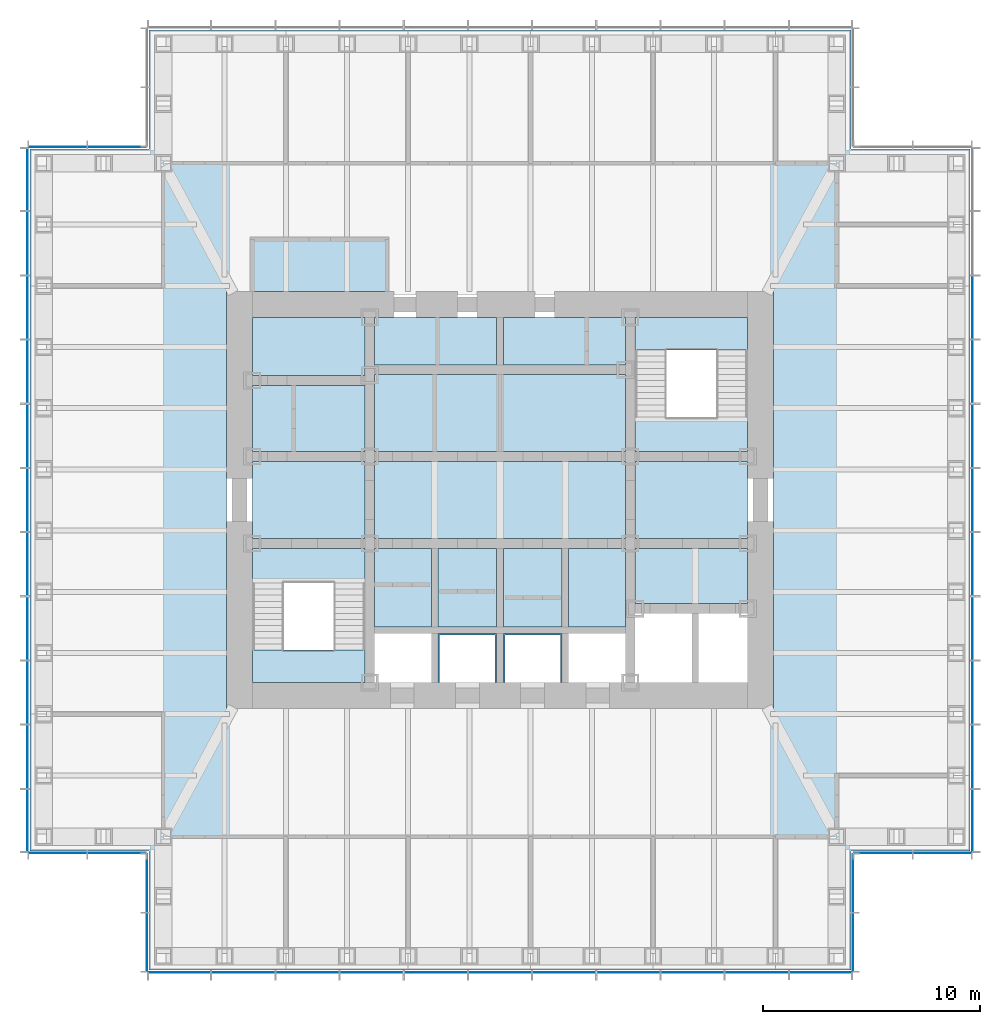
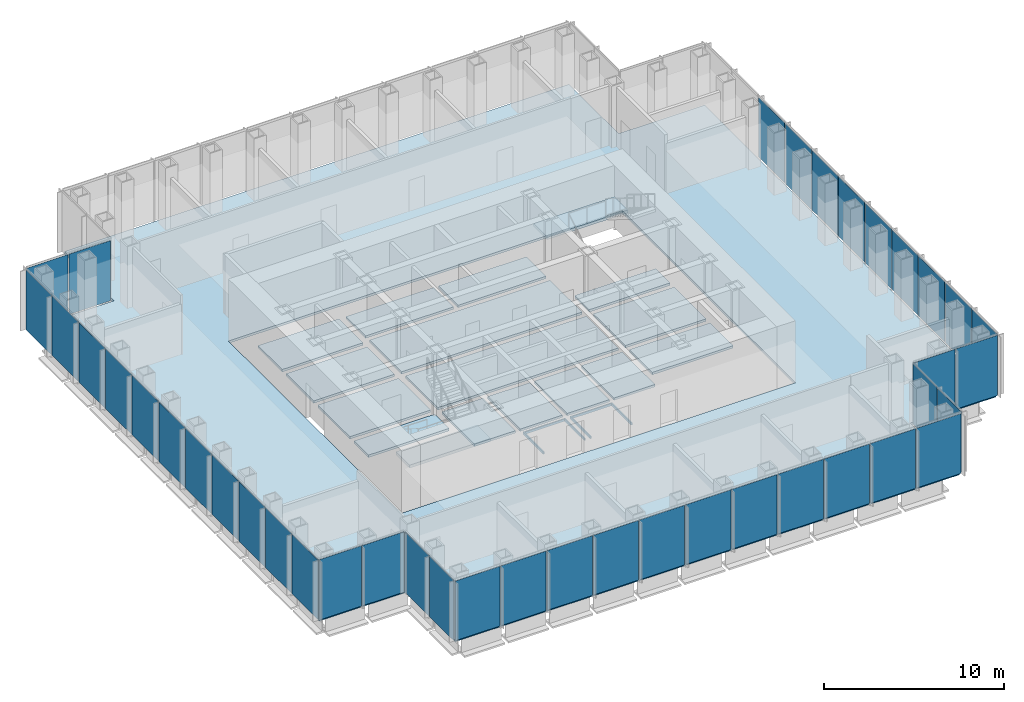
# One storey, part 7 of 16: 41 plates, 20 slabs, 10 elements without a shape of their own.
"""IFC4 building model written with IfcOpenShell, lengths in metres."""

from ifc_helpers import new_model, si_unit, direction, frame, origin, origin_2d, place, context, subcontext, project, spatial, polyline, rectangle, outline, extrude, material, layer, layer_set, type_object, element, aggregate, save


model = new_model("IFC4")

# Units and contexts
model_context = context("Model", 3, precision=1e-05, world=origin(), true_north=direction((0.0, 1.0)))
body_context = subcontext(model_context, "Body", "Model", "MODEL_VIEW")
ifc_project = project(units=[si_unit("LENGTHUNIT", "METRE"), si_unit("AREAUNIT", "SQUARE_METRE"), si_unit("VOLUMEUNIT", "CUBIC_METRE"), si_unit("PLANEANGLEUNIT", "RADIAN"), si_unit("MASSUNIT", "GRAM", prefix="KILO")], contexts=[model_context])

# Site, building, storey
site_placement = place(None, origin())
site = spatial("IfcSite", under=ifc_project, at=site_placement, CompositionType="ELEMENT")
building_placement = place(site_placement, origin())
building = spatial("IfcBuilding", under=site, at=building_placement, Name="Daluyong Arena Tower", CompositionType="ELEMENT")
storey_placement = place(building_placement, frame((0.0, 0.0, 227.5)))
storey = spatial("IfcBuildingStorey", under=building, at=storey_placement, Name="L51", CompositionType="ELEMENT", Elevation=227.5)

# Curtain wall, plates
ifc_material_1 = material(Name="Bronze anodised aluminium and glass", Category="aluminium")
curtain_wall_type_1 = type_object("IfcCurtainWallType", Name="Curtain wall CW3", PredefinedType="USERDEFINED", material=ifc_material_1)
curtain_wall_1_placement = place(storey_placement, origin())
curtain_wall_1 = element("IfcCurtainWall", 1, at=curtain_wall_1_placement, inside=storey, type_object=curtain_wall_type_1, Name="curtain wall L51 S", ObjectType="UNITISED CURTAIN WALL", PredefinedType="USERDEFINED")
ifc_material_2 = material(Name="Tinted double glazed unit", Category="glass")
ifc_layer_1 = layer(ifc_material_2, 0.030029296875)
ifc_layer_set_1 = layer_set([ifc_layer_1], Name="Tinted double glazed unit")
plate_type_1 = type_object("IfcPlateType", Name="CW3 panel 30", PredefinedType="CURTAIN_PANEL", material=ifc_layer_set_1)
plate_1_placement = place(storey_placement, frame((41.244873046875, 58.25, 0.0), z_axis=(0.0, 0.0, 1.0), x_axis=(1.0, 0.0, 0.0)))
plate_1 = element("IfcPlate", 2, at=plate_1_placement, type_object=plate_type_1, Name="curtain wall L51 S panel 1", PredefinedType="CURTAIN_PANEL", context=body_context, shape_type="SweptSolid", body=[
    extrude(rectangle(XDim=2.849609375, YDim=0.030029296875, at=origin_2d()), origin(), (0.0, 0.0, 1.0), 4.0400390625),
])
plate_2_placement = place(storey_placement, frame((44.181884765625, 58.25, 0.0), z_axis=(0.0, 0.0, 1.0), x_axis=(1.0, 0.0, 0.0)))
plate_2 = element("IfcPlate", 3, at=plate_2_placement, type_object=plate_type_1, Name="curtain wall L51 S panel 2", PredefinedType="CURTAIN_PANEL", context=body_context, shape_type="SweptSolid", body=[
    extrude(rectangle(XDim=2.884521484375, YDim=0.030029296875, at=origin_2d()), origin(), (0.0, 0.0, 1.0), 4.0400390625),
])
plate_3_placement = place(storey_placement, frame((47.136474609375, 58.25, 0.0), z_axis=(0.0, 0.0, 1.0), x_axis=(1.0, 0.0, 0.0)))
plate_3 = element("IfcPlate", 4, at=plate_3_placement, type_object=plate_type_1, Name="curtain wall L51 S panel 3", PredefinedType="CURTAIN_PANEL", context=body_context, shape_type="SweptSolid", body=[
    extrude(rectangle(XDim=2.884521484375, YDim=0.030029296875, at=origin_2d()), origin(), (0.0, 0.0, 1.0), 4.0400390625),
])
plate_4_placement = place(storey_placement, frame((50.0908203125, 58.25, 0.0), z_axis=(0.0, 0.0, 1.0), x_axis=(1.0, 0.0, 0.0)))
plate_4 = element("IfcPlate", 5, at=plate_4_placement, type_object=plate_type_1, Name="curtain wall L51 S panel 4", PredefinedType="CURTAIN_PANEL", context=body_context, shape_type="SweptSolid", body=[
    extrude(rectangle(XDim=2.884521484375, YDim=0.030029296875, at=origin_2d()), origin(), (0.0, 0.0, 1.0), 4.0400390625),
])
plate_5_placement = place(storey_placement, frame((53.04541015625, 58.25, 0.0), z_axis=(0.0, 0.0, 1.0), x_axis=(1.0, 0.0, 0.0)))
plate_5 = element("IfcPlate", 6, at=plate_5_placement, type_object=plate_type_1, Name="curtain wall L51 S panel 5", PredefinedType="CURTAIN_PANEL", context=body_context, shape_type="SweptSolid", body=[
    extrude(rectangle(XDim=2.884521484375, YDim=0.030029296875, at=origin_2d()), origin(), (0.0, 0.0, 1.0), 4.0400390625),
])
plate_6_placement = place(storey_placement, frame((56.0, 58.25, 0.0), z_axis=(0.0, 0.0, 1.0), x_axis=(1.0, 0.0, 0.0)))
plate_6 = element("IfcPlate", 7, at=plate_6_placement, type_object=plate_type_1, Name="curtain wall L51 S panel 6", PredefinedType="CURTAIN_PANEL", context=body_context, shape_type="SweptSolid", body=[
    extrude(rectangle(XDim=2.884521484375, YDim=0.030029296875, at=origin_2d()), origin(), (0.0, 0.0, 1.0), 4.0400390625),
])
plate_7_placement = place(storey_placement, frame((58.95458984375, 58.25, 0.0), z_axis=(0.0, 0.0, 1.0), x_axis=(1.0, 0.0, 0.0)))
plate_7 = element("IfcPlate", 8, at=plate_7_placement, type_object=plate_type_1, Name="curtain wall L51 S panel 7", PredefinedType="CURTAIN_PANEL", context=body_context, shape_type="SweptSolid", body=[
    extrude(rectangle(XDim=2.884521484375, YDim=0.030029296875, at=origin_2d()), origin(), (0.0, 0.0, 1.0), 4.0400390625),
])
plate_8_placement = place(storey_placement, frame((61.9091796875, 58.25, 0.0), z_axis=(0.0, 0.0, 1.0), x_axis=(1.0, 0.0, 0.0)))
plate_8 = element("IfcPlate", 9, at=plate_8_placement, type_object=plate_type_1, Name="curtain wall L51 S panel 8", PredefinedType="CURTAIN_PANEL", context=body_context, shape_type="SweptSolid", body=[
    extrude(rectangle(XDim=2.884521484375, YDim=0.030029296875, at=origin_2d()), origin(), (0.0, 0.0, 1.0), 4.0400390625),
])
plate_9_placement = place(storey_placement, frame((64.863525390625, 58.25, 0.0), z_axis=(0.0, 0.0, 1.0), x_axis=(1.0, 0.0, 0.0)))
plate_9 = element("IfcPlate", 10, at=plate_9_placement, type_object=plate_type_1, Name="curtain wall L51 S panel 9", PredefinedType="CURTAIN_PANEL", context=body_context, shape_type="SweptSolid", body=[
    extrude(rectangle(XDim=2.884521484375, YDim=0.030029296875, at=origin_2d()), origin(), (0.0, 0.0, 1.0), 4.0400390625),
])
plate_10_placement = place(storey_placement, frame((67.818115234375, 58.25, 0.0), z_axis=(0.0, 0.0, 1.0), x_axis=(1.0, 0.0, 0.0)))
plate_10 = element("IfcPlate", 11, at=plate_10_placement, type_object=plate_type_1, Name="curtain wall L51 S panel 10", PredefinedType="CURTAIN_PANEL", context=body_context, shape_type="SweptSolid", body=[
    extrude(rectangle(XDim=2.884521484375, YDim=0.030029296875, at=origin_2d()), origin(), (0.0, 0.0, 1.0), 4.0400390625),
])
plate_11_placement = place(storey_placement, frame((70.755126953125, 58.25, 0.0), z_axis=(0.0, 0.0, 1.0), x_axis=(1.0, 0.0, 0.0)))
plate_11 = element("IfcPlate", 12, at=plate_11_placement, type_object=plate_type_1, Name="curtain wall L51 S panel 11", PredefinedType="CURTAIN_PANEL", context=body_context, shape_type="SweptSolid", body=[
    extrude(rectangle(XDim=2.849609375, YDim=0.030029296875, at=origin_2d()), origin(), (0.0, 0.0, 1.0), 4.0400390625),
])
aggregate(curtain_wall_1, [plate_1, plate_2, plate_3, plate_4, plate_5, plate_6, plate_7, plate_8, plate_9, plate_10, plate_11])

curtain_wall_2_placement = place(storey_placement, origin())
curtain_wall_2 = element("IfcCurtainWall", 13, at=curtain_wall_2_placement, inside=storey, type_object=curtain_wall_type_1, Name="curtain wall L51 E", ObjectType="UNITISED CURTAIN WALL", PredefinedType="USERDEFINED")
plate_12_placement = place(storey_placement, frame((77.75, 65.244873046875, 0.0), z_axis=(0.0, 0.0, 1.0), x_axis=(0.0, 1.0, 0.0)))
plate_12 = element("IfcPlate", 14, at=plate_12_placement, type_object=plate_type_1, Name="curtain wall L51 E panel 1", PredefinedType="CURTAIN_PANEL", context=body_context, shape_type="SweptSolid", body=[
    extrude(rectangle(XDim=2.849609375, YDim=0.030029296875, at=origin_2d()), origin(), (0.0, 0.0, 1.0), 4.0400390625),
])
plate_13_placement = place(storey_placement, frame((77.75, 68.181884765625, 0.0), z_axis=(0.0, 0.0, 1.0), x_axis=(0.0, 1.0, 0.0)))
plate_13 = element("IfcPlate", 15, at=plate_13_placement, type_object=plate_type_1, Name="curtain wall L51 E panel 2", PredefinedType="CURTAIN_PANEL", context=body_context, shape_type="SweptSolid", body=[
    extrude(rectangle(XDim=2.884521484375, YDim=0.030029296875, at=origin_2d()), origin(), (0.0, 0.0, 1.0), 4.0400390625),
])
plate_14_placement = place(storey_placement, frame((77.75, 71.136474609375, 0.0), z_axis=(0.0, 0.0, 1.0), x_axis=(0.0, 1.0, 0.0)))
plate_14 = element("IfcPlate", 16, at=plate_14_placement, type_object=plate_type_1, Name="curtain wall L51 E panel 3", PredefinedType="CURTAIN_PANEL", context=body_context, shape_type="SweptSolid", body=[
    extrude(rectangle(XDim=2.884521484375, YDim=0.030029296875, at=origin_2d()), origin(), (0.0, 0.0, 1.0), 4.0400390625),
])
plate_15_placement = place(storey_placement, frame((77.75, 74.0908203125, 0.0), z_axis=(0.0, 0.0, 1.0), x_axis=(0.0, 1.0, 0.0)))
plate_15 = element("IfcPlate", 17, at=plate_15_placement, type_object=plate_type_1, Name="curtain wall L51 E panel 4", PredefinedType="CURTAIN_PANEL", context=body_context, shape_type="SweptSolid", body=[
    extrude(rectangle(XDim=2.884521484375, YDim=0.030029296875, at=origin_2d()), origin(), (0.0, 0.0, 1.0), 4.0400390625),
])
plate_16_placement = place(storey_placement, frame((77.75, 77.04541015625, 0.0), z_axis=(0.0, 0.0, 1.0), x_axis=(0.0, 1.0, 0.0)))
plate_16 = element("IfcPlate", 18, at=plate_16_placement, type_object=plate_type_1, Name="curtain wall L51 E panel 5", PredefinedType="CURTAIN_PANEL", context=body_context, shape_type="SweptSolid", body=[
    extrude(rectangle(XDim=2.884521484375, YDim=0.030029296875, at=origin_2d()), origin(), (0.0, 0.0, 1.0), 4.0400390625),
])
plate_17_placement = place(storey_placement, frame((77.75, 80.0, 0.0), z_axis=(0.0, 0.0, 1.0), x_axis=(0.0, 1.0, 0.0)))
plate_17 = element("IfcPlate", 19, at=plate_17_placement, type_object=plate_type_1, Name="curtain wall L51 E panel 6", PredefinedType="CURTAIN_PANEL", context=body_context, shape_type="SweptSolid", body=[
    extrude(rectangle(XDim=2.884521484375, YDim=0.030029296875, at=origin_2d()), origin(), (0.0, 0.0, 1.0), 4.0400390625),
])
plate_18_placement = place(storey_placement, frame((77.75, 82.95458984375, 0.0), z_axis=(0.0, 0.0, 1.0), x_axis=(0.0, 1.0, 0.0)))
plate_18 = element("IfcPlate", 20, at=plate_18_placement, type_object=plate_type_1, Name="curtain wall L51 E panel 7", PredefinedType="CURTAIN_PANEL", context=body_context, shape_type="SweptSolid", body=[
    extrude(rectangle(XDim=2.884521484375, YDim=0.030029296875, at=origin_2d()), origin(), (0.0, 0.0, 1.0), 4.0400390625),
])
plate_19_placement = place(storey_placement, frame((77.75, 85.9091796875, 0.0), z_axis=(0.0, 0.0, 1.0), x_axis=(0.0, 1.0, 0.0)))
plate_19 = element("IfcPlate", 21, at=plate_19_placement, type_object=plate_type_1, Name="curtain wall L51 E panel 8", PredefinedType="CURTAIN_PANEL", context=body_context, shape_type="SweptSolid", body=[
    extrude(rectangle(XDim=2.884521484375, YDim=0.030029296875, at=origin_2d()), origin(), (0.0, 0.0, 1.0), 4.0400390625),
])
plate_20_placement = place(storey_placement, frame((77.75, 88.863525390625, 0.0), z_axis=(0.0, 0.0, 1.0), x_axis=(0.0, 1.0, 0.0)))
plate_20 = element("IfcPlate", 22, at=plate_20_placement, type_object=plate_type_1, Name="curtain wall L51 E panel 9", PredefinedType="CURTAIN_PANEL", context=body_context, shape_type="SweptSolid", body=[
    extrude(rectangle(XDim=2.884521484375, YDim=0.030029296875, at=origin_2d()), origin(), (0.0, 0.0, 1.0), 4.0400390625),
])
aggregate(curtain_wall_2, [plate_12, plate_13, plate_14, plate_15, plate_16, plate_17, plate_18, plate_19, plate_20])

curtain_wall_3_placement = place(storey_placement, origin())
curtain_wall_3 = element("IfcCurtainWall", 23, at=curtain_wall_3_placement, inside=storey, type_object=curtain_wall_type_1, Name="curtain wall L51 W", ObjectType="UNITISED CURTAIN WALL", PredefinedType="USERDEFINED")
plate_21_placement = place(storey_placement, frame((34.25, 94.755126953125, 0.0), z_axis=(0.0, 0.0, 1.0), x_axis=(0.0, -1.0, 0.0)))
plate_21 = element("IfcPlate", 24, at=plate_21_placement, type_object=plate_type_1, Name="curtain wall L51 W panel 1", PredefinedType="CURTAIN_PANEL", context=body_context, shape_type="SweptSolid", body=[
    extrude(rectangle(XDim=2.849609375, YDim=0.030029296875, at=origin_2d()), origin(), (0.0, 0.0, 1.0), 4.0400390625),
])
plate_22_placement = place(storey_placement, frame((34.25, 91.818115234375, 0.0), z_axis=(0.0, 0.0, 1.0), x_axis=(0.0, -1.0, 0.0)))
plate_22 = element("IfcPlate", 25, at=plate_22_placement, type_object=plate_type_1, Name="curtain wall L51 W panel 2", PredefinedType="CURTAIN_PANEL", context=body_context, shape_type="SweptSolid", body=[
    extrude(rectangle(XDim=2.884521484375, YDim=0.030029296875, at=origin_2d()), origin(), (0.0, 0.0, 1.0), 4.0400390625),
])
plate_23_placement = place(storey_placement, frame((34.25, 88.863525390625, 0.0), z_axis=(0.0, 0.0, 1.0), x_axis=(0.0, -1.0, 0.0)))
plate_23 = element("IfcPlate", 26, at=plate_23_placement, type_object=plate_type_1, Name="curtain wall L51 W panel 3", PredefinedType="CURTAIN_PANEL", context=body_context, shape_type="SweptSolid", body=[
    extrude(rectangle(XDim=2.884521484375, YDim=0.030029296875, at=origin_2d()), origin(), (0.0, 0.0, 1.0), 4.0400390625),
])
plate_24_placement = place(storey_placement, frame((34.25, 85.9091796875, 0.0), z_axis=(0.0, 0.0, 1.0), x_axis=(0.0, -1.0, 0.0)))
plate_24 = element("IfcPlate", 27, at=plate_24_placement, type_object=plate_type_1, Name="curtain wall L51 W panel 4", PredefinedType="CURTAIN_PANEL", context=body_context, shape_type="SweptSolid", body=[
    extrude(rectangle(XDim=2.884521484375, YDim=0.030029296875, at=origin_2d()), origin(), (0.0, 0.0, 1.0), 4.0400390625),
])
plate_25_placement = place(storey_placement, frame((34.25, 82.95458984375, 0.0), z_axis=(0.0, 0.0, 1.0), x_axis=(0.0, -1.0, 0.0)))
plate_25 = element("IfcPlate", 28, at=plate_25_placement, type_object=plate_type_1, Name="curtain wall L51 W panel 5", PredefinedType="CURTAIN_PANEL", context=body_context, shape_type="SweptSolid", body=[
    extrude(rectangle(XDim=2.884521484375, YDim=0.030029296875, at=origin_2d()), origin(), (0.0, 0.0, 1.0), 4.0400390625),
])
plate_26_placement = place(storey_placement, frame((34.25, 80.0, 0.0), z_axis=(0.0, 0.0, 1.0), x_axis=(0.0, -1.0, 0.0)))
plate_26 = element("IfcPlate", 29, at=plate_26_placement, type_object=plate_type_1, Name="curtain wall L51 W panel 6", PredefinedType="CURTAIN_PANEL", context=body_context, shape_type="SweptSolid", body=[
    extrude(rectangle(XDim=2.884521484375, YDim=0.030029296875, at=origin_2d()), origin(), (0.0, 0.0, 1.0), 4.0400390625),
])
plate_27_placement = place(storey_placement, frame((34.25, 77.04541015625, 0.0), z_axis=(0.0, 0.0, 1.0), x_axis=(0.0, -1.0, 0.0)))
plate_27 = element("IfcPlate", 30, at=plate_27_placement, type_object=plate_type_1, Name="curtain wall L51 W panel 7", PredefinedType="CURTAIN_PANEL", context=body_context, shape_type="SweptSolid", body=[
    extrude(rectangle(XDim=2.884521484375, YDim=0.030029296875, at=origin_2d()), origin(), (0.0, 0.0, 1.0), 4.0400390625),
])
plate_28_placement = place(storey_placement, frame((34.25, 74.0908203125, 0.0), z_axis=(0.0, 0.0, 1.0), x_axis=(0.0, -1.0, 0.0)))
plate_28 = element("IfcPlate", 31, at=plate_28_placement, type_object=plate_type_1, Name="curtain wall L51 W panel 8", PredefinedType="CURTAIN_PANEL", context=body_context, shape_type="SweptSolid", body=[
    extrude(rectangle(XDim=2.884521484375, YDim=0.030029296875, at=origin_2d()), origin(), (0.0, 0.0, 1.0), 4.0400390625),
])
plate_29_placement = place(storey_placement, frame((34.25, 71.136474609375, 0.0), z_axis=(0.0, 0.0, 1.0), x_axis=(0.0, -1.0, 0.0)))
plate_29 = element("IfcPlate", 32, at=plate_29_placement, type_object=plate_type_1, Name="curtain wall L51 W panel 9", PredefinedType="CURTAIN_PANEL", context=body_context, shape_type="SweptSolid", body=[
    extrude(rectangle(XDim=2.884521484375, YDim=0.030029296875, at=origin_2d()), origin(), (0.0, 0.0, 1.0), 4.0400390625),
])
plate_30_placement = place(storey_placement, frame((34.25, 68.181884765625, 0.0), z_axis=(0.0, 0.0, 1.0), x_axis=(0.0, -1.0, 0.0)))
plate_30 = element("IfcPlate", 33, at=plate_30_placement, type_object=plate_type_1, Name="curtain wall L51 W panel 10", PredefinedType="CURTAIN_PANEL", context=body_context, shape_type="SweptSolid", body=[
    extrude(rectangle(XDim=2.884521484375, YDim=0.030029296875, at=origin_2d()), origin(), (0.0, 0.0, 1.0), 4.0400390625),
])
plate_31_placement = place(storey_placement, frame((34.25, 65.244873046875, 0.0), z_axis=(0.0, 0.0, 1.0), x_axis=(0.0, -1.0, 0.0)))
plate_31 = element("IfcPlate", 34, at=plate_31_placement, type_object=plate_type_1, Name="curtain wall L51 W panel 11", PredefinedType="CURTAIN_PANEL", context=body_context, shape_type="SweptSolid", body=[
    extrude(rectangle(XDim=2.849609375, YDim=0.030029296875, at=origin_2d()), origin(), (0.0, 0.0, 1.0), 4.0400390625),
])
aggregate(curtain_wall_3, [plate_21, plate_22, plate_23, plate_24, plate_25, plate_26, plate_27, plate_28, plate_29, plate_30, plate_31])

ifc_material_3 = material(Name="Bronze anodised aluminium and glass", Category="aluminium")
curtain_wall_type_2 = type_object("IfcCurtainWallType", Name="Curtain wall CW7", PredefinedType="USERDEFINED", material=ifc_material_3)
curtain_wall_4_placement = place(storey_placement, origin())
curtain_wall_4 = element("IfcCurtainWall", 35, at=curtain_wall_4_placement, inside=storey, type_object=curtain_wall_type_2, Name="curtain wall L51 SE-E", ObjectType="UNITISED CURTAIN WALL", PredefinedType="USERDEFINED")
ifc_material_4 = material(Name="Tinted double glazed unit", Category="glass")
ifc_layer_2 = layer(ifc_material_4, 0.028076171875)
ifc_layer_set_2 = layer_set([ifc_layer_2], Name="Tinted double glazed unit")
plate_type_2 = type_object("IfcPlateType", Name="CW7 panel 28", PredefinedType="CURTAIN_PANEL", material=ifc_layer_set_2)
plate_32_placement = place(storey_placement, frame((72.25, 59.639892578125, 0.0), z_axis=(0.0, 0.0, 1.0), x_axis=(0.0, 1.0, 0.0)))
plate_32 = element("IfcPlate", 36, at=plate_32_placement, type_object=plate_type_2, Name="curtain wall L51 SE-E panel 1", PredefinedType="CURTAIN_PANEL", context=body_context, shape_type="SweptSolid", body=[
    extrude(rectangle(XDim=2.659912109375, YDim=0.028076171875, at=origin_2d()), origin(), (0.0, 0.0, 1.0), 4.080078125),
])
plate_33_placement = place(storey_placement, frame((72.25, 62.360107421875, 0.0), z_axis=(0.0, 0.0, 1.0), x_axis=(0.0, 1.0, 0.0)))
plate_33 = element("IfcPlate", 37, at=plate_33_placement, type_object=plate_type_2, Name="curtain wall L51 SE-E panel 2", PredefinedType="CURTAIN_PANEL", context=body_context, shape_type="SweptSolid", body=[
    extrude(rectangle(XDim=2.659912109375, YDim=0.028076171875, at=origin_2d()), origin(), (0.0, 0.0, 1.0), 4.080078125),
])
aggregate(curtain_wall_4, [plate_32, plate_33])

curtain_wall_5_placement = place(storey_placement, origin())
curtain_wall_5 = element("IfcCurtainWall", 38, at=curtain_wall_5_placement, inside=storey, type_object=curtain_wall_type_2, Name="curtain wall L51 SE-S", ObjectType="UNITISED CURTAIN WALL", PredefinedType="USERDEFINED")
plate_34_placement = place(storey_placement, frame((73.639892578125, 63.75, 0.0), z_axis=(0.0, 0.0, 1.0), x_axis=(1.0, 0.0, 0.0)))
plate_34 = element("IfcPlate", 39, at=plate_34_placement, type_object=plate_type_2, Name="curtain wall L51 SE-S panel 1", PredefinedType="CURTAIN_PANEL", context=body_context, shape_type="SweptSolid", body=[
    extrude(rectangle(XDim=2.659912109375, YDim=0.028076171875, at=origin_2d()), origin(), (0.0, 0.0, 1.0), 4.080078125),
])
plate_35_placement = place(storey_placement, frame((76.360107421875, 63.75, 0.0), z_axis=(0.0, 0.0, 1.0), x_axis=(1.0, 0.0, 0.0)))
plate_35 = element("IfcPlate", 40, at=plate_35_placement, type_object=plate_type_2, Name="curtain wall L51 SE-S panel 2", PredefinedType="CURTAIN_PANEL", context=body_context, shape_type="SweptSolid", body=[
    extrude(rectangle(XDim=2.659912109375, YDim=0.028076171875, at=origin_2d()), origin(), (0.0, 0.0, 1.0), 4.080078125),
])
aggregate(curtain_wall_5, [plate_34, plate_35])

curtain_wall_6_placement = place(storey_placement, origin())
curtain_wall_6 = element("IfcCurtainWall", 41, at=curtain_wall_6_placement, inside=storey, type_object=curtain_wall_type_2, Name="curtain wall L51 NW-N", ObjectType="UNITISED CURTAIN WALL", PredefinedType="USERDEFINED")
plate_36_placement = place(storey_placement, frame((38.360107421875, 96.25, 0.0), z_axis=(0.0, 0.0, 1.0), x_axis=(-1.0, 0.0, 0.0)))
plate_36 = element("IfcPlate", 42, at=plate_36_placement, type_object=plate_type_2, Name="curtain wall L51 NW-N panel 1", PredefinedType="CURTAIN_PANEL", context=body_context, shape_type="SweptSolid", body=[
    extrude(rectangle(XDim=2.659912109375, YDim=0.028076171875, at=origin_2d()), origin(), (0.0, 0.0, 1.0), 4.080078125),
])
plate_37_placement = place(storey_placement, frame((35.639892578125, 96.25, 0.0), z_axis=(0.0, 0.0, 1.0), x_axis=(-1.0, 0.0, 0.0)))
plate_37 = element("IfcPlate", 43, at=plate_37_placement, type_object=plate_type_2, Name="curtain wall L51 NW-N panel 2", PredefinedType="CURTAIN_PANEL", context=body_context, shape_type="SweptSolid", body=[
    extrude(rectangle(XDim=2.659912109375, YDim=0.028076171875, at=origin_2d()), origin(), (0.0, 0.0, 1.0), 4.080078125),
])
aggregate(curtain_wall_6, [plate_36, plate_37])

curtain_wall_7_placement = place(storey_placement, origin())
curtain_wall_7 = element("IfcCurtainWall", 44, at=curtain_wall_7_placement, inside=storey, type_object=curtain_wall_type_2, Name="curtain wall L51 SW-S", ObjectType="UNITISED CURTAIN WALL", PredefinedType="USERDEFINED")
plate_38_placement = place(storey_placement, frame((35.639892578125, 63.75, 0.0), z_axis=(0.0, 0.0, 1.0), x_axis=(1.0, 0.0, 0.0)))
plate_38 = element("IfcPlate", 45, at=plate_38_placement, type_object=plate_type_2, Name="curtain wall L51 SW-S panel 1", PredefinedType="CURTAIN_PANEL", context=body_context, shape_type="SweptSolid", body=[
    extrude(rectangle(XDim=2.659912109375, YDim=0.028076171875, at=origin_2d()), origin(), (0.0, 0.0, 1.0), 4.080078125),
])
plate_39_placement = place(storey_placement, frame((38.360107421875, 63.75, 0.0), z_axis=(0.0, 0.0, 1.0), x_axis=(1.0, 0.0, 0.0)))
plate_39 = element("IfcPlate", 46, at=plate_39_placement, type_object=plate_type_2, Name="curtain wall L51 SW-S panel 2", PredefinedType="CURTAIN_PANEL", context=body_context, shape_type="SweptSolid", body=[
    extrude(rectangle(XDim=2.659912109375, YDim=0.028076171875, at=origin_2d()), origin(), (0.0, 0.0, 1.0), 4.080078125),
])
aggregate(curtain_wall_7, [plate_38, plate_39])

curtain_wall_8_placement = place(storey_placement, origin())
curtain_wall_8 = element("IfcCurtainWall", 47, at=curtain_wall_8_placement, inside=storey, type_object=curtain_wall_type_2, Name="curtain wall L51 SW-W", ObjectType="UNITISED CURTAIN WALL", PredefinedType="USERDEFINED")
plate_40_placement = place(storey_placement, frame((39.75, 62.360107421875, 0.0), z_axis=(0.0, 0.0, 1.0), x_axis=(0.0, -1.0, 0.0)))
plate_40 = element("IfcPlate", 48, at=plate_40_placement, type_object=plate_type_2, Name="curtain wall L51 SW-W panel 1", PredefinedType="CURTAIN_PANEL", context=body_context, shape_type="SweptSolid", body=[
    extrude(rectangle(XDim=2.659912109375, YDim=0.028076171875, at=origin_2d()), origin(), (0.0, 0.0, 1.0), 4.080078125),
])
plate_41_placement = place(storey_placement, frame((39.75, 59.639892578125, 0.0), z_axis=(0.0, 0.0, 1.0), x_axis=(0.0, -1.0, 0.0)))
plate_41 = element("IfcPlate", 49, at=plate_41_placement, type_object=plate_type_2, Name="curtain wall L51 SW-W panel 2", PredefinedType="CURTAIN_PANEL", context=body_context, shape_type="SweptSolid", body=[
    extrude(rectangle(XDim=2.659912109375, YDim=0.028076171875, at=origin_2d()), origin(), (0.0, 0.0, 1.0), 4.080078125),
])
aggregate(curtain_wall_8, [plate_40, plate_41])

# Stair, slab
ifc_material_5 = material(Name="Concrete fc' 35 MPa", Category="concrete")
stair_type = type_object("IfcStairType", Name="Core exit stair", PredefinedType="HALF_TURN_STAIR", material=ifc_material_5)
stair_1_placement = place(storey_placement, origin())
stair_1 = element("IfcStair", 50, at=stair_1_placement, inside=storey, type_object=stair_type, Name="exit stair A L51", PredefinedType="HALF_TURN_STAIR")
ifc_material_6 = material(Name="Concrete fc' 35 MPa", Category="concrete")
ifc_layer_3 = layer(ifc_material_6, 0.199951171875)
ifc_layer_set_3 = layer_set([ifc_layer_3], Name="Concrete fc' 35 MPa")
slab_type_1 = type_object("IfcSlabType", Name="Stair landing 200", PredefinedType="LANDING", material=ifc_layer_set_3)
slab_1_placement = place(storey_placement, frame((0.0, 0.0, 1.89990234375)))
slab_1 = element("IfcSlab", 51, at=slab_1_placement, type_object=slab_type_1, Name="STA landing 1", PredefinedType="LANDING", context=body_context, shape_type="SweptSolid", body=[
    extrude(outline(polyline([(44.60009765625, 71.60009765625), (49.77490234375, 71.60009765625), (49.77490234375, 73.094970703125), (44.60009765625, 73.094970703125), (44.60009765625, 71.60009765625)])), origin(), (0.0, 0.0, 1.0), 0.2001953125),
])
aggregate(stair_1, [slab_1])

stair_2_placement = place(storey_placement, origin())
stair_2 = element("IfcStair", 52, at=stair_2_placement, inside=storey, type_object=stair_type, Name="exit stair B L51", PredefinedType="HALF_TURN_STAIR")
slab_2_placement = place(storey_placement, frame((0.0, 0.0, 1.89990234375)))
slab_2 = element("IfcSlab", 53, at=slab_2_placement, type_object=slab_type_1, Name="STB landing 1", PredefinedType="LANDING", context=body_context, shape_type="SweptSolid", body=[
    extrude(outline(polyline([(62.22509765625, 86.905029296875), (67.39990234375, 86.905029296875), (67.39990234375, 88.39990234375), (62.22509765625, 88.39990234375), (62.22509765625, 86.905029296875)])), origin(), (0.0, 0.0, 1.0), 0.2001953125),
])
aggregate(stair_2, [slab_2])

# Slabs
ifc_material_7 = material(Name="Concrete fc' 35 MPa", Category="concrete")
ifc_layer_4 = layer(ifc_material_7, 0.159912109375)
ifc_layer_set_4 = layer_set([ifc_layer_4], Name="Concrete fc' 35 MPa")
slab_type_2 = type_object("IfcSlabType", Name="Tower floor slab 160", PredefinedType="FLOOR", material=ifc_layer_set_4)
slab_3_placement = place(storey_placement, frame((0.0, 0.0, -0.159912109375)))
element("IfcSlab", 54, at=slab_3_placement, inside=storey, type_object=slab_type_2, Name="floor L51 part 1", PredefinedType="FLOOR", context=body_context, shape_type="SweptSolid", body=[
    extrude(outline(polyline([(49.77490234375, 77.77490234375), (44.60009765625, 77.77490234375), (44.60009765625, 76.175048828125), (49.77490234375, 76.175048828125), (49.77490234375, 77.77490234375)])), origin(), (0.0, 0.0, 1.0), 0.159912109375),
])
slab_4_placement = place(storey_placement, frame((0.0, 0.0, -0.159912109375)))
element("IfcSlab", 55, at=slab_4_placement, inside=storey, type_object=slab_type_2, Name="floor L51 part 2", PredefinedType="FLOOR", context=body_context, shape_type="SweptSolid", body=[
    extrude(outline(polyline([(49.77490234375, 78.22509765625), (49.77490234375, 81.77490234375), (44.60009765625, 81.77490234375), (44.60009765625, 78.22509765625), (49.77490234375, 78.22509765625)])), origin(), (0.0, 0.0, 1.0), 0.159912109375),
])
slab_5_placement = place(storey_placement, frame((0.0, 0.0, -0.159912109375)))
element("IfcSlab", 56, at=slab_5_placement, inside=storey, type_object=slab_type_2, Name="floor L51 part 3", PredefinedType="FLOOR", context=body_context, shape_type="SweptSolid", body=[
    extrude(outline(polyline([(44.60009765625, 85.27490234375), (44.60009765625, 82.22509765625), (49.77490234375, 82.22509765625), (49.77490234375, 85.27490234375), (44.60009765625, 85.27490234375)])), origin(), (0.0, 0.0, 1.0), 0.159912109375),
])
slab_6_placement = place(storey_placement, frame((0.0, 0.0, -0.159912109375)))
element("IfcSlab", 57, at=slab_6_placement, inside=storey, type_object=slab_type_2, Name="floor L51 part 4", PredefinedType="FLOOR", context=body_context, shape_type="SweptSolid", body=[
    extrude(outline(polyline([(44.60009765625, 88.39990234375), (44.60009765625, 85.72509765625), (49.77490234375, 85.72509765625), (49.77490234375, 88.39990234375), (44.60009765625, 88.39990234375)])), origin(), (0.0, 0.0, 1.0), 0.159912109375),
])
slab_7_placement = place(storey_placement, frame((0.0, 0.0, -0.159912109375)))
element("IfcSlab", 58, at=slab_7_placement, inside=storey, type_object=slab_type_2, Name="floor L51 part 5", PredefinedType="FLOOR", context=body_context, shape_type="SweptSolid", body=[
    extrude(outline(polyline([(52.85009765625, 74.14990234375), (52.85009765625, 77.77490234375), (50.22509765625, 77.77490234375), (50.22509765625, 74.14990234375), (52.85009765625, 74.14990234375)])), origin(), (0.0, 0.0, 1.0), 0.159912109375),
])
slab_8_placement = place(storey_placement, frame((0.0, 0.0, -0.159912109375)))
element("IfcSlab", 59, at=slab_8_placement, inside=storey, type_object=slab_type_2, Name="floor L51 part 6", PredefinedType="FLOOR", context=body_context, shape_type="SweptSolid", body=[
    extrude(outline(polyline([(50.22509765625, 88.39990234375), (50.22509765625, 86.22509765625), (55.85009765625, 86.22509765625), (55.85009765625, 88.39990234375), (50.22509765625, 88.39990234375)])), origin(), (0.0, 0.0, 1.0), 0.159912109375),
])
slab_9_placement = place(storey_placement, frame((0.0, 0.0, -0.159912109375)))
element("IfcSlab", 60, at=slab_9_placement, inside=storey, type_object=slab_type_2, Name="floor L51 part 7", PredefinedType="FLOOR", context=body_context, shape_type="SweptSolid", body=[
    extrude(outline(polyline([(53.22509765625, 71.60009765625), (53.22509765625, 73.77490234375), (55.77490234375, 73.77490234375), (55.77490234375, 71.60009765625), (55.85009765625, 71.60009765625), (55.85009765625, 73.85009765625), (53.14990234375, 73.85009765625), (53.14990234375, 71.60009765625), (53.22509765625, 71.60009765625)])), origin(), (0.0, 0.0, 1.0), 0.159912109375),
])
slab_10_placement = place(storey_placement, frame((0.0, 0.0, -0.159912109375)))
element("IfcSlab", 61, at=slab_10_placement, inside=storey, type_object=slab_type_2, Name="floor L51 part 8", PredefinedType="FLOOR", context=body_context, shape_type="SweptSolid", body=[
    extrude(outline(polyline([(53.14990234375, 74.14990234375), (55.85009765625, 74.14990234375), (55.85009765625, 77.77490234375), (53.14990234375, 77.77490234375), (53.14990234375, 74.14990234375)])), origin(), (0.0, 0.0, 1.0), 0.159912109375),
])
slab_11_placement = place(storey_placement, frame((0.0, 0.0, -0.159912109375)))
element("IfcSlab", 62, at=slab_11_placement, inside=storey, type_object=slab_type_2, Name="floor L51 part 9", PredefinedType="FLOOR", context=body_context, shape_type="SweptSolid", body=[
    extrude(outline(polyline([(39.85009765625, 63.85009765625), (39.85009765625, 58.35009765625), (72.14990234375, 58.35009765625), (72.14990234375, 63.85009765625), (77.64990234375, 63.85009765625), (77.64990234375, 96.14990234375), (72.14990234375, 96.14990234375), (72.14990234375, 101.64990234375), (39.85009765625, 101.64990234375), (39.85009765625, 96.14990234375), (34.35009765625, 96.14990234375), (34.35009765625, 63.85009765625), (39.85009765625, 63.85009765625)]), holes=[polyline([(68.60009765625, 89.60009765625), (68.60009765625, 70.39990234375), (43.39990234375, 70.39990234375), (43.39990234375, 89.60009765625), (68.60009765625, 89.60009765625)])]), origin(), (0.0, 0.0, 1.0), 0.159912109375),
])
slab_12_placement = place(storey_placement, frame((0.0, 0.0, -0.159912109375)))
element("IfcSlab", 63, at=slab_12_placement, inside=storey, type_object=slab_type_2, Name="floor L51 part 10", PredefinedType="FLOOR", context=body_context, shape_type="SweptSolid", body=[
    extrude(outline(polyline([(50.22509765625, 81.77490234375), (50.22509765625, 78.22509765625), (61.77490234375, 78.22509765625), (61.77490234375, 81.77490234375), (50.22509765625, 81.77490234375)])), origin(), (0.0, 0.0, 1.0), 0.159912109375),
])
slab_13_placement = place(storey_placement, frame((0.0, 0.0, -0.159912109375)))
element("IfcSlab", 64, at=slab_13_placement, inside=storey, type_object=slab_type_2, Name="floor L51 part 11", PredefinedType="FLOOR", context=body_context, shape_type="SweptSolid", body=[
    extrude(outline(polyline([(50.22509765625, 85.77490234375), (50.22509765625, 82.22509765625), (61.77490234375, 82.22509765625), (61.77490234375, 85.77490234375), (50.22509765625, 85.77490234375)])), origin(), (0.0, 0.0, 1.0), 0.159912109375),
])
slab_14_placement = place(storey_placement, frame((0.0, 0.0, -0.159912109375)))
element("IfcSlab", 65, at=slab_14_placement, inside=storey, type_object=slab_type_2, Name="floor L51 part 12", PredefinedType="FLOOR", context=body_context, shape_type="SweptSolid", body=[
    extrude(outline(polyline([(56.22509765625, 71.60009765625), (56.22509765625, 73.77490234375), (58.77490234375, 73.77490234375), (58.77490234375, 71.60009765625), (58.85009765625, 71.60009765625), (58.85009765625, 73.85009765625), (56.14990234375, 73.85009765625), (56.14990234375, 71.60009765625), (56.22509765625, 71.60009765625)])), origin(), (0.0, 0.0, 1.0), 0.159912109375),
])
slab_15_placement = place(storey_placement, frame((0.0, 0.0, -0.159912109375)))
element("IfcSlab", 66, at=slab_15_placement, inside=storey, type_object=slab_type_2, Name="floor L51 part 13", PredefinedType="FLOOR", context=body_context, shape_type="SweptSolid", body=[
    extrude(outline(polyline([(58.85009765625, 77.77490234375), (56.14990234375, 77.77490234375), (56.14990234375, 74.14990234375), (58.85009765625, 74.14990234375), (58.85009765625, 77.77490234375)])), origin(), (0.0, 0.0, 1.0), 0.159912109375),
])
slab_16_placement = place(storey_placement, frame((0.0, 0.0, -0.159912109375)))
element("IfcSlab", 67, at=slab_16_placement, inside=storey, type_object=slab_type_2, Name="floor L51 part 14", PredefinedType="FLOOR", context=body_context, shape_type="SweptSolid", body=[
    extrude(outline(polyline([(56.14990234375, 88.39990234375), (56.14990234375, 86.22509765625), (61.77490234375, 86.22509765625), (61.77490234375, 88.39990234375), (56.14990234375, 88.39990234375)])), origin(), (0.0, 0.0, 1.0), 0.159912109375),
])
slab_17_placement = place(storey_placement, frame((0.0, 0.0, -0.159912109375)))
element("IfcSlab", 68, at=slab_17_placement, inside=storey, type_object=slab_type_2, Name="floor L51 part 15", PredefinedType="FLOOR", context=body_context, shape_type="SweptSolid", body=[
    extrude(outline(polyline([(61.77490234375, 77.77490234375), (59.14990234375, 77.77490234375), (59.14990234375, 74.14990234375), (61.77490234375, 74.14990234375), (61.77490234375, 77.77490234375)])), origin(), (0.0, 0.0, 1.0), 0.159912109375),
])
slab_18_placement = place(storey_placement, frame((0.0, 0.0, -0.159912109375)))
element("IfcSlab", 69, at=slab_18_placement, inside=storey, type_object=slab_type_2, Name="floor L51 part 16", PredefinedType="FLOOR", context=body_context, shape_type="SweptSolid", body=[
    extrude(outline(polyline([(67.39990234375, 75.22509765625), (67.39990234375, 77.77490234375), (62.22509765625, 77.77490234375), (62.22509765625, 75.22509765625), (67.39990234375, 75.22509765625)])), origin(), (0.0, 0.0, 1.0), 0.159912109375),
])
slab_19_placement = place(storey_placement, frame((0.0, 0.0, -0.159912109375)))
element("IfcSlab", 70, at=slab_19_placement, inside=storey, type_object=slab_type_2, Name="floor L51 part 17", PredefinedType="FLOOR", context=body_context, shape_type="SweptSolid", body=[
    extrude(outline(polyline([(67.39990234375, 78.22509765625), (67.39990234375, 81.77490234375), (62.22509765625, 81.77490234375), (62.22509765625, 78.22509765625), (67.39990234375, 78.22509765625)])), origin(), (0.0, 0.0, 1.0), 0.159912109375),
])
slab_20_placement = place(storey_placement, frame((0.0, 0.0, -0.159912109375)))
element("IfcSlab", 71, at=slab_20_placement, inside=storey, type_object=slab_type_2, Name="floor L51 part 18", PredefinedType="FLOOR", context=body_context, shape_type="SweptSolid", body=[
    extrude(outline(polyline([(67.39990234375, 83.824951171875), (62.22509765625, 83.824951171875), (62.22509765625, 82.22509765625), (67.39990234375, 82.22509765625), (67.39990234375, 83.824951171875)])), origin(), (0.0, 0.0, 1.0), 0.159912109375),
])

save(model, "model.ifc")
